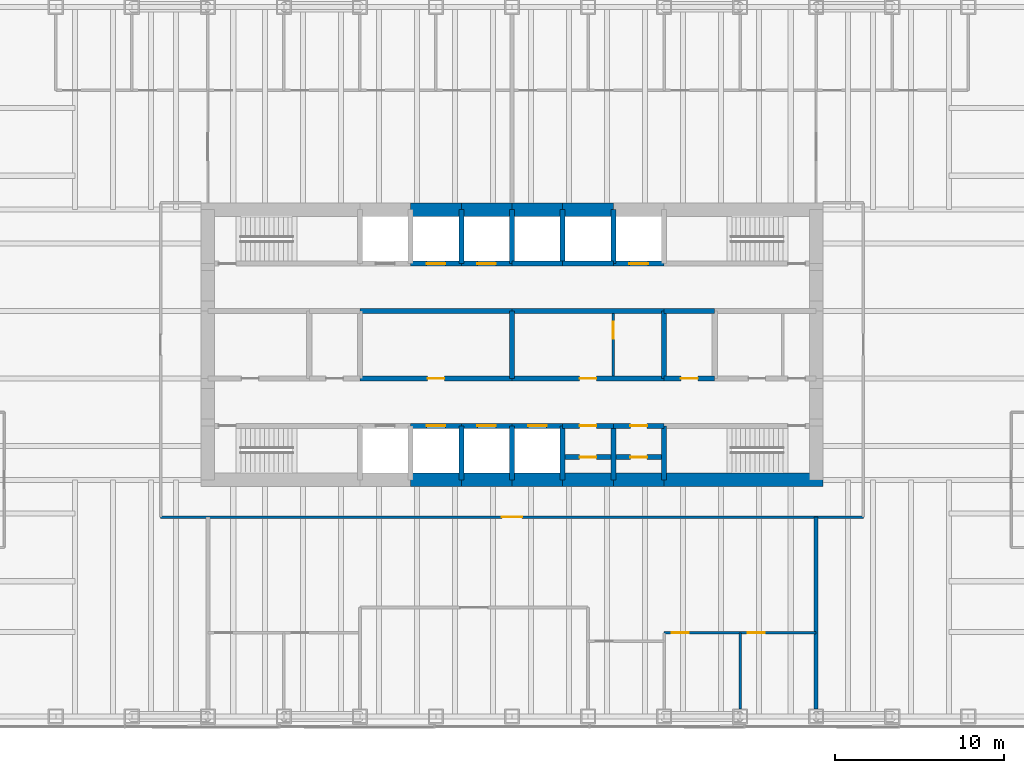
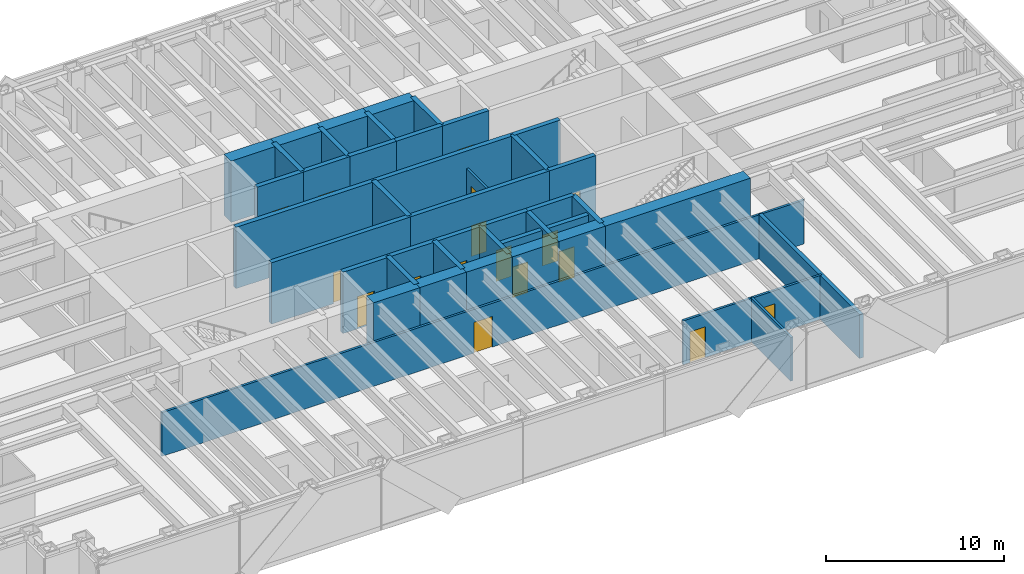
# One storey, part 13 of 17: 44 walls, 17 doors, 17 openings.
"""IFC4 building model written with IfcOpenShell, lengths in metres."""

from ifc_helpers import new_model, si_unit, direction, frame, frame_2d, origin, place, context, subcontext, project, spatial, rectangle, extrude, material, layer, layer_set, type_object, element, fill, save


model = new_model("IFC4")

# Units and contexts
model_context = context("Model", 3, precision=1e-05, world=origin(), true_north=direction((0.0, 1.0)))
body_context = subcontext(model_context, "Body", "Model", "MODEL_VIEW")
ifc_project = project(units=[si_unit("LENGTHUNIT", "METRE"), si_unit("AREAUNIT", "SQUARE_METRE"), si_unit("VOLUMEUNIT", "CUBIC_METRE"), si_unit("PLANEANGLEUNIT", "RADIAN"), si_unit("MASSUNIT", "GRAM", prefix="KILO")], contexts=[model_context])

# Site, building, storey
site_placement = place(None, origin())
site = spatial("IfcSite", under=ifc_project, at=site_placement, CompositionType="ELEMENT")
building_placement = place(site_placement, origin())
building = spatial("IfcBuilding", under=site, at=building_placement, Name="Rheinbord Bourse Tower", CompositionType="ELEMENT")
storey_placement = place(building_placement, frame((0.0, 0.0, 223.60009765625)))
storey = spatial("IfcBuildingStorey", under=building, at=storey_placement, Name="L50", CompositionType="ELEMENT", Elevation=223.60009765625)

# Wall, opening, door
ifc_material_1 = material(Name="Concrete C50/60", Category="concrete")
ifc_layer_1 = layer(ifc_material_1, 0.300048828125)
ifc_layer_set_1 = layer_set([ifc_layer_1], Name="CORE INNER WALL 300")
wall_type_1 = type_object("IfcWallType", Name="CORE INNER WALL 300", PredefinedType="SOLIDWALL", material=ifc_layer_set_1)
wall_1_placement = place(storey_placement, frame((30.0, 19.199951171875, 0.0), z_axis=(0.0, 0.0, 1.0), x_axis=(1.0, 0.0, 0.0)))
wall_1 = element("IfcWall", 1, at=wall_1_placement, inside=storey, type_object=wall_type_1, Name="Core wall A3 L50", PredefinedType="SOLIDWALL", context=body_context, shape_type="SweptSolid", body=[
    extrude(rectangle(XDim=3.0, YDim=0.300048828125, at=frame_2d((1.5, 0.0))), origin(), (0.0, 0.0, 1.0), 4.199951171875),
])
opening_1_placement = place(wall_1_placement, frame((0.949951171875, 0.0, 0.0)))
opening_1 = element("IfcOpeningElement", 2, at=opening_1_placement, cuts=wall_1, Name="Opening PC1", PredefinedType="OPENING", context=body_context, shape_type="SweptSolid", body=[
    extrude(rectangle(XDim=1.10009765625, YDim=2.199951171875, at=frame_2d((0.550048828125, 1.10009765625))), frame((0.0, 0.159912109375, 0.0), z_axis=(0.0, -1.0, 0.0), x_axis=(1.0, 0.0, 0.0)), (0.0, 0.0, 1.0), 0.320068359375),
])
ifc_material_2 = material(Name="Steel landing door", Category="steel")
door_type_1 = type_object("IfcDoorType", Name="LIFT LANDING DOOR 1100", OperationType="DOUBLE_DOOR_SLIDING", PredefinedType="USERDEFINED", material=ifc_material_2)
door_1_placement = place(opening_1_placement, origin())
door_1 = element("IfcDoor", 3, at=door_1_placement, inside=storey, type_object=door_type_1, Name="Lift landing door PC1 L50", ObjectType="LIFT LANDING DOOR", OperationType="DOUBLE_DOOR_SLIDING", OverallHeight=2.199951171875, OverallWidth=1.10009765625, PredefinedType="USERDEFINED", context=body_context, shape_type="SweptSolid", body=[
    extrude(rectangle(XDim=1.10009765625, YDim=2.199951171875, at=frame_2d((0.550048828125, 1.10009765625))), frame((0.0, 0.02490234375, 0.0), z_axis=(0.0, -1.0, 0.0), x_axis=(1.0, 0.0, 0.0)), (0.0, 0.0, 1.0), 0.050048828125),
])
fill(opening_1, door_1)

wall_2_placement = place(storey_placement, frame((33.0, 19.199951171875, 0.0), z_axis=(0.0, 0.0, 1.0), x_axis=(1.0, 0.0, 0.0)))
wall_2 = element("IfcWall", 4, at=wall_2_placement, inside=storey, type_object=wall_type_1, Name="Core wall A4 L50", PredefinedType="SOLIDWALL", context=body_context, shape_type="SweptSolid", body=[
    extrude(rectangle(XDim=3.0, YDim=0.300048828125, at=frame_2d((1.5, 0.0))), origin(), (0.0, 0.0, 1.0), 4.199951171875),
])
opening_2_placement = place(wall_2_placement, frame((0.949951171875, 0.0, 0.0)))
opening_2 = element("IfcOpeningElement", 5, at=opening_2_placement, cuts=wall_2, Name="Opening PC2", PredefinedType="OPENING", context=body_context, shape_type="SweptSolid", body=[
    extrude(rectangle(XDim=1.10009765625, YDim=2.199951171875, at=frame_2d((0.550048828125, 1.10009765625))), frame((0.0, 0.159912109375, 0.0), z_axis=(0.0, -1.0, 0.0), x_axis=(1.0, 0.0, 0.0)), (0.0, 0.0, 1.0), 0.320068359375),
])
door_2_placement = place(opening_2_placement, origin())
door_2 = element("IfcDoor", 6, at=door_2_placement, inside=storey, type_object=door_type_1, Name="Lift landing door PC2 L50", ObjectType="LIFT LANDING DOOR", OperationType="DOUBLE_DOOR_SLIDING", OverallHeight=2.199951171875, OverallWidth=1.10009765625, PredefinedType="USERDEFINED", context=body_context, shape_type="SweptSolid", body=[
    extrude(rectangle(XDim=1.10009765625, YDim=2.199951171875, at=frame_2d((0.550048828125, 1.10009765625))), frame((0.0, 0.02490234375, 0.0), z_axis=(0.0, -1.0, 0.0), x_axis=(1.0, 0.0, 0.0)), (0.0, 0.0, 1.0), 0.050048828125),
])
fill(opening_2, door_2)

wall_3_placement = place(storey_placement, frame((36.0, 19.199951171875, 0.0), z_axis=(0.0, 0.0, 1.0), x_axis=(1.0, 0.0, 0.0)))
wall_3 = element("IfcWall", 7, at=wall_3_placement, inside=storey, type_object=wall_type_1, Name="Core wall A5 L50", PredefinedType="SOLIDWALL", context=body_context, shape_type="SweptSolid", body=[
    extrude(rectangle(XDim=3.0, YDim=0.300048828125, at=frame_2d((1.5, 0.0))), origin(), (0.0, 0.0, 1.0), 4.199951171875),
])
opening_3_placement = place(wall_3_placement, frame((0.949951171875, 0.0, 0.0)))
opening_3 = element("IfcOpeningElement", 8, at=opening_3_placement, cuts=wall_3, Name="Opening PC3", PredefinedType="OPENING", context=body_context, shape_type="SweptSolid", body=[
    extrude(rectangle(XDim=1.10009765625, YDim=2.199951171875, at=frame_2d((0.550048828125, 1.10009765625))), frame((0.0, 0.159912109375, 0.0), z_axis=(0.0, -1.0, 0.0), x_axis=(1.0, 0.0, 0.0)), (0.0, 0.0, 1.0), 0.320068359375),
])
door_3_placement = place(opening_3_placement, origin())
door_3 = element("IfcDoor", 9, at=door_3_placement, inside=storey, type_object=door_type_1, Name="Lift landing door PC3 L50", ObjectType="LIFT LANDING DOOR", OperationType="DOUBLE_DOOR_SLIDING", OverallHeight=2.199951171875, OverallWidth=1.10009765625, PredefinedType="USERDEFINED", context=body_context, shape_type="SweptSolid", body=[
    extrude(rectangle(XDim=1.10009765625, YDim=2.199951171875, at=frame_2d((0.550048828125, 1.10009765625))), frame((0.0, 0.02490234375, 0.0), z_axis=(0.0, -1.0, 0.0), x_axis=(1.0, 0.0, 0.0)), (0.0, 0.0, 1.0), 0.050048828125),
])
fill(opening_3, door_3)

wall_4_placement = place(storey_placement, frame((39.0, 19.199951171875, 0.0), z_axis=(0.0, 0.0, 1.0), x_axis=(1.0, 0.0, 0.0)))
wall_4 = element("IfcWall", 10, at=wall_4_placement, inside=storey, type_object=wall_type_1, Name="Core wall A6 L50", PredefinedType="SOLIDWALL", context=body_context, shape_type="SweptSolid", body=[
    extrude(rectangle(XDim=3.0, YDim=0.300048828125, at=frame_2d((1.5, 0.0))), origin(), (0.0, 0.0, 1.0), 4.199951171875),
])
opening_4_placement = place(wall_4_placement, frame((1.0, 0.0, 0.0)))
opening_4 = element("IfcOpeningElement", 11, at=opening_4_placement, cuts=wall_4, Name="Opening 50R8", PredefinedType="OPENING", context=body_context, shape_type="SweptSolid", body=[
    extrude(rectangle(XDim=1.0, YDim=2.10009765625, at=frame_2d((0.5, 1.050048828125))), frame((0.0, 0.159912109375, 0.0), z_axis=(0.0, -1.0, 0.0), x_axis=(1.0, 0.0, 0.0)), (0.0, 0.0, 1.0), 0.320068359375),
])
ifc_material_3 = material(Name="Steel door", Category="steel")
door_type_2 = type_object("IfcDoorType", Name="DOOR 1000 EI30", OperationType="SINGLE_SWING_LEFT", PredefinedType="DOOR", material=ifc_material_3)
door_4_placement = place(opening_4_placement, origin())
door_4 = element("IfcDoor", 12, at=door_4_placement, inside=storey, type_object=door_type_2, Name="Pantry door L50", OperationType="SINGLE_SWING_LEFT", OverallHeight=2.10009765625, OverallWidth=1.0, PredefinedType="DOOR", context=body_context, shape_type="SweptSolid", body=[
    extrude(rectangle(XDim=1.0, YDim=2.10009765625, at=frame_2d((0.5, 1.050048828125))), frame((0.0, 0.02490234375, 0.0), z_axis=(0.0, -1.0, 0.0), x_axis=(1.0, 0.0, 0.0)), (0.0, 0.0, 1.0), 0.050048828125),
])
fill(opening_4, door_4)

wall_5_placement = place(storey_placement, frame((42.0, 19.199951171875, 0.0), z_axis=(0.0, 0.0, 1.0), x_axis=(1.0, 0.0, 0.0)))
wall_5 = element("IfcWall", 13, at=wall_5_placement, inside=storey, type_object=wall_type_1, Name="Core wall A7 L50", PredefinedType="SOLIDWALL", context=body_context, shape_type="SweptSolid", body=[
    extrude(rectangle(XDim=3.0, YDim=0.300048828125, at=frame_2d((1.5, 0.0))), origin(), (0.0, 0.0, 1.0), 4.199951171875),
])
opening_5_placement = place(wall_5_placement, frame((1.0, 0.0, 0.0)))
opening_5 = element("IfcOpeningElement", 14, at=opening_5_placement, cuts=wall_5, Name="Opening 50R9", PredefinedType="OPENING", context=body_context, shape_type="SweptSolid", body=[
    extrude(rectangle(XDim=1.0, YDim=2.10009765625, at=frame_2d((0.5, 1.050048828125))), frame((0.0, 0.159912109375, 0.0), z_axis=(0.0, -1.0, 0.0), x_axis=(1.0, 0.0, 0.0)), (0.0, 0.0, 1.0), 0.320068359375),
])
door_5_placement = place(opening_5_placement, origin())
door_5 = element("IfcDoor", 15, at=door_5_placement, inside=storey, type_object=door_type_2, Name="Archive store door L50", OperationType="SINGLE_SWING_LEFT", OverallHeight=2.10009765625, OverallWidth=1.0, PredefinedType="DOOR", context=body_context, shape_type="SweptSolid", body=[
    extrude(rectangle(XDim=1.0, YDim=2.10009765625, at=frame_2d((0.5, 1.050048828125))), frame((0.0, 0.02490234375, 0.0), z_axis=(0.0, -1.0, 0.0), x_axis=(1.0, 0.0, 0.0)), (0.0, 0.0, 1.0), 0.050048828125),
])
fill(opening_5, door_5)

wall_6_placement = place(storey_placement, frame((30.0, 28.800048828125, 0.0), z_axis=(0.0, 0.0, 1.0), x_axis=(1.0, 0.0, 0.0)))
wall_6 = element("IfcWall", 16, at=wall_6_placement, inside=storey, type_object=wall_type_1, Name="Core wall B3 L50", PredefinedType="SOLIDWALL", context=body_context, shape_type="SweptSolid", body=[
    extrude(rectangle(XDim=3.0, YDim=0.300048828125, at=frame_2d((1.5, 0.0))), origin(), (0.0, 0.0, 1.0), 4.199951171875),
])
opening_6_placement = place(wall_6_placement, frame((0.949951171875, 0.0, 0.0)))
opening_6 = element("IfcOpeningElement", 17, at=opening_6_placement, cuts=wall_6, Name="Opening PC4", PredefinedType="OPENING", context=body_context, shape_type="SweptSolid", body=[
    extrude(rectangle(XDim=1.10009765625, YDim=2.199951171875, at=frame_2d((0.550048828125, 1.10009765625))), frame((0.0, 0.159912109375, 0.0), z_axis=(0.0, -1.0, 0.0), x_axis=(1.0, 0.0, 0.0)), (0.0, 0.0, 1.0), 0.320068359375),
])
door_6_placement = place(opening_6_placement, origin())
door_6 = element("IfcDoor", 18, at=door_6_placement, inside=storey, type_object=door_type_1, Name="Lift landing door PC4 L50", ObjectType="LIFT LANDING DOOR", OperationType="DOUBLE_DOOR_SLIDING", OverallHeight=2.199951171875, OverallWidth=1.10009765625, PredefinedType="USERDEFINED", context=body_context, shape_type="SweptSolid", body=[
    extrude(rectangle(XDim=1.10009765625, YDim=2.199951171875, at=frame_2d((0.550048828125, 1.10009765625))), frame((0.0, 0.02490234375, 0.0), z_axis=(0.0, -1.0, 0.0), x_axis=(1.0, 0.0, 0.0)), (0.0, 0.0, 1.0), 0.050048828125),
])
fill(opening_6, door_6)

wall_7_placement = place(storey_placement, frame((33.0, 28.800048828125, 0.0), z_axis=(0.0, 0.0, 1.0), x_axis=(1.0, 0.0, 0.0)))
wall_7 = element("IfcWall", 19, at=wall_7_placement, inside=storey, type_object=wall_type_1, Name="Core wall B4 L50", PredefinedType="SOLIDWALL", context=body_context, shape_type="SweptSolid", body=[
    extrude(rectangle(XDim=3.0, YDim=0.300048828125, at=frame_2d((1.5, 0.0))), origin(), (0.0, 0.0, 1.0), 4.199951171875),
])
opening_7_placement = place(wall_7_placement, frame((0.949951171875, 0.0, 0.0)))
opening_7 = element("IfcOpeningElement", 20, at=opening_7_placement, cuts=wall_7, Name="Opening PC5", PredefinedType="OPENING", context=body_context, shape_type="SweptSolid", body=[
    extrude(rectangle(XDim=1.10009765625, YDim=2.199951171875, at=frame_2d((0.550048828125, 1.10009765625))), frame((0.0, 0.159912109375, 0.0), z_axis=(0.0, -1.0, 0.0), x_axis=(1.0, 0.0, 0.0)), (0.0, 0.0, 1.0), 0.320068359375),
])
door_7_placement = place(opening_7_placement, origin())
door_7 = element("IfcDoor", 21, at=door_7_placement, inside=storey, type_object=door_type_1, Name="Lift landing door PC5 L50", ObjectType="LIFT LANDING DOOR", OperationType="DOUBLE_DOOR_SLIDING", OverallHeight=2.199951171875, OverallWidth=1.10009765625, PredefinedType="USERDEFINED", context=body_context, shape_type="SweptSolid", body=[
    extrude(rectangle(XDim=1.10009765625, YDim=2.199951171875, at=frame_2d((0.550048828125, 1.10009765625))), frame((0.0, 0.02490234375, 0.0), z_axis=(0.0, -1.0, 0.0), x_axis=(1.0, 0.0, 0.0)), (0.0, 0.0, 1.0), 0.050048828125),
])
fill(opening_7, door_7)

# Walls
for number, where, z_axis, x_axis, name in (
    (22, (36.0, 28.800048828125, 0.0), (0.0, 0.0, 1.0), (1.0, 0.0, 0.0), "Core wall B5 L50"),
    (23, (39.0, 28.800048828125, 0.0), (0.0, 0.0, 1.0), (1.0, 0.0, 0.0), "Core wall B6 L50"),
):
    element("IfcWall", number, at=place(storey_placement, frame(where, z_axis=z_axis, x_axis=x_axis)), inside=storey, type_object=wall_type_1, Name=name, PredefinedType="SOLIDWALL", context=body_context, shape_type="SweptSolid", body=[
        extrude(rectangle(XDim=3.0, YDim=0.300048828125, at=frame_2d((1.5, 0.0))), origin(), (0.0, 0.0, 1.0), 4.199951171875),
    ])

# Wall, opening, door
wall_8_placement = place(storey_placement, frame((42.0, 28.800048828125, 0.0), z_axis=(0.0, 0.0, 1.0), x_axis=(1.0, 0.0, 0.0)))
wall_8 = element("IfcWall", 24, at=wall_8_placement, inside=storey, type_object=wall_type_1, Name="Core wall B7 L50", PredefinedType="SOLIDWALL", context=body_context, shape_type="SweptSolid", body=[
    extrude(rectangle(XDim=3.0, YDim=0.300048828125, at=frame_2d((1.5, 0.0))), origin(), (0.0, 0.0, 1.0), 4.199951171875),
])
opening_8_placement = place(wall_8_placement, frame((0.949951171875, 0.0, 0.0)))
opening_8 = element("IfcOpeningElement", 25, at=opening_8_placement, cuts=wall_8, Name="Opening FL2", PredefinedType="OPENING", context=body_context, shape_type="SweptSolid", body=[
    extrude(rectangle(XDim=1.10009765625, YDim=2.199951171875, at=frame_2d((0.550048828125, 1.10009765625))), frame((0.0, 0.159912109375, 0.0), z_axis=(0.0, -1.0, 0.0), x_axis=(1.0, 0.0, 0.0)), (0.0, 0.0, 1.0), 0.320068359375),
])
door_8_placement = place(opening_8_placement, origin())
door_8 = element("IfcDoor", 26, at=door_8_placement, inside=storey, type_object=door_type_1, Name="Lift landing door FL2 L50", ObjectType="LIFT LANDING DOOR", OperationType="DOUBLE_DOOR_SLIDING", OverallHeight=2.199951171875, OverallWidth=1.10009765625, PredefinedType="USERDEFINED", context=body_context, shape_type="SweptSolid", body=[
    extrude(rectangle(XDim=1.10009765625, YDim=2.199951171875, at=frame_2d((0.550048828125, 1.10009765625))), frame((0.0, 0.02490234375, 0.0), z_axis=(0.0, -1.0, 0.0), x_axis=(1.0, 0.0, 0.0)), (0.0, 0.0, 1.0), 0.050048828125),
])
fill(opening_8, door_8)

wall_9_placement = place(storey_placement, frame((27.0, 22.0, 0.0), z_axis=(0.0, 0.0, 1.0), x_axis=(1.0, 0.0, 0.0)))
wall_9 = element("IfcWall", 27, at=wall_9_placement, inside=storey, type_object=wall_type_1, Name="Core wall C3 L50", PredefinedType="SOLIDWALL", context=body_context, shape_type="SweptSolid", body=[
    extrude(rectangle(XDim=9.0, YDim=0.300048828125, at=frame_2d((4.5, 0.0))), origin(), (0.0, 0.0, 1.0), 4.199951171875),
])
opening_9_placement = place(wall_9_placement, frame((4.0, 0.0, 0.0)))
opening_9 = element("IfcOpeningElement", 28, at=opening_9_placement, cuts=wall_9, Name="Opening 50R3", PredefinedType="OPENING", context=body_context, shape_type="SweptSolid", body=[
    extrude(rectangle(XDim=1.0, YDim=2.10009765625, at=frame_2d((0.5, 1.050048828125))), frame((0.0, 0.159912109375, 0.0), z_axis=(0.0, -1.0, 0.0), x_axis=(1.0, 0.0, 0.0)), (0.0, 0.0, 1.0), 0.320068359375),
])
door_9_placement = place(opening_9_placement, origin())
door_9 = element("IfcDoor", 29, at=door_9_placement, inside=storey, type_object=door_type_2, Name="Riser door L50", OperationType="SINGLE_SWING_LEFT", OverallHeight=2.10009765625, OverallWidth=1.0, PredefinedType="DOOR", context=body_context, shape_type="SweptSolid", body=[
    extrude(rectangle(XDim=1.0, YDim=2.10009765625, at=frame_2d((0.5, 1.050048828125))), frame((0.0, 0.02490234375, 0.0), z_axis=(0.0, -1.0, 0.0), x_axis=(1.0, 0.0, 0.0)), (0.0, 0.0, 1.0), 0.050048828125),
])
fill(opening_9, door_9)

wall_10_placement = place(storey_placement, frame((36.0, 22.0, 0.0), z_axis=(0.0, 0.0, 1.0), x_axis=(1.0, 0.0, 0.0)))
wall_10 = element("IfcWall", 30, at=wall_10_placement, inside=storey, type_object=wall_type_1, Name="Core wall C4 L50", PredefinedType="SOLIDWALL", context=body_context, shape_type="SweptSolid", body=[
    extrude(rectangle(XDim=9.0, YDim=0.300048828125, at=frame_2d((4.5, 0.0))), origin(), (0.0, 0.0, 1.0), 4.199951171875),
])
opening_10_placement = place(wall_10_placement, frame((4.0, 0.0, 0.0)))
opening_10 = element("IfcOpeningElement", 31, at=opening_10_placement, cuts=wall_10, Name="Opening 50R4", PredefinedType="OPENING", context=body_context, shape_type="SweptSolid", body=[
    extrude(rectangle(XDim=1.0, YDim=2.10009765625, at=frame_2d((0.5, 1.050048828125))), frame((0.0, 0.159912109375, 0.0), z_axis=(0.0, -1.0, 0.0), x_axis=(1.0, 0.0, 0.0)), (0.0, 0.0, 1.0), 0.320068359375),
])
door_10_placement = place(opening_10_placement, origin())
door_10 = element("IfcDoor", 32, at=door_10_placement, inside=storey, type_object=door_type_2, Name="IT room door L50", OperationType="SINGLE_SWING_LEFT", OverallHeight=2.10009765625, OverallWidth=1.0, PredefinedType="DOOR", context=body_context, shape_type="SweptSolid", body=[
    extrude(rectangle(XDim=1.0, YDim=2.10009765625, at=frame_2d((0.5, 1.050048828125))), frame((0.0, 0.02490234375, 0.0), z_axis=(0.0, -1.0, 0.0), x_axis=(1.0, 0.0, 0.0)), (0.0, 0.0, 1.0), 0.050048828125),
])
fill(opening_10, door_10)

wall_11_placement = place(storey_placement, frame((45.0, 22.0, 0.0), z_axis=(0.0, 0.0, 1.0), x_axis=(1.0, 0.0, 0.0)))
wall_11 = element("IfcWall", 33, at=wall_11_placement, inside=storey, type_object=wall_type_1, Name="Core wall C5 L50", PredefinedType="SOLIDWALL", context=body_context, shape_type="SweptSolid", body=[
    extrude(rectangle(XDim=3.0, YDim=0.300048828125, at=frame_2d((1.5, 0.0))), origin(), (0.0, 0.0, 1.0), 4.199951171875),
])
opening_11_placement = place(wall_11_placement, frame((1.0, 0.0, 0.0)))
opening_11 = element("IfcOpeningElement", 34, at=opening_11_placement, cuts=wall_11, Name="Opening 50R5", PredefinedType="OPENING", context=body_context, shape_type="SweptSolid", body=[
    extrude(rectangle(XDim=1.0, YDim=2.10009765625, at=frame_2d((0.5, 1.050048828125))), frame((0.0, 0.159912109375, 0.0), z_axis=(0.0, -1.0, 0.0), x_axis=(1.0, 0.0, 0.0)), (0.0, 0.0, 1.0), 0.320068359375),
])
ifc_material_4 = material(Name="Timber door", Category="wood")
door_type_3 = type_object("IfcDoorType", Name="DOOR 1000 WC", OperationType="SINGLE_SWING_LEFT", PredefinedType="DOOR", material=ifc_material_4)
door_11_placement = place(opening_11_placement, origin())
door_11 = element("IfcDoor", 35, at=door_11_placement, inside=storey, type_object=door_type_3, Name="Accessible WC door L50", OperationType="SINGLE_SWING_LEFT", OverallHeight=2.10009765625, OverallWidth=1.0, PredefinedType="DOOR", context=body_context, shape_type="SweptSolid", body=[
    extrude(rectangle(XDim=1.0, YDim=2.10009765625, at=frame_2d((0.5, 1.050048828125))), frame((0.0, 0.02490234375, 0.0), z_axis=(0.0, -1.0, 0.0), x_axis=(1.0, 0.0, 0.0)), (0.0, 0.0, 1.0), 0.050048828125),
])
fill(opening_11, door_11)

# Walls
for number, where, z_axis, x_axis, name in (
    (36, (27.0, 26.0, 0.0), (0.0, 0.0, 1.0), (1.0, 0.0, 0.0), "Core wall D3 L50"),
    (37, (36.0, 26.0, 0.0), (0.0, 0.0, 1.0), (1.0, 0.0, 0.0), "Core wall D4 L50"),
):
    element("IfcWall", number, at=place(storey_placement, frame(where, z_axis=z_axis, x_axis=x_axis)), inside=storey, type_object=wall_type_1, Name=name, PredefinedType="SOLIDWALL", context=body_context, shape_type="SweptSolid", body=[
        extrude(rectangle(XDim=9.0, YDim=0.300048828125, at=frame_2d((4.5, 0.0))), origin(), (0.0, 0.0, 1.0), 4.199951171875),
    ])
wall_12_placement = place(storey_placement, frame((45.0, 26.0, 0.0), z_axis=(0.0, 0.0, 1.0), x_axis=(1.0, 0.0, 0.0)))
element("IfcWall", 38, at=wall_12_placement, inside=storey, type_object=wall_type_1, Name="Core wall D5 L50", PredefinedType="SOLIDWALL", context=body_context, shape_type="SweptSolid", body=[
    extrude(rectangle(XDim=3.0, YDim=0.300048828125, at=frame_2d((1.5, 0.0))), origin(), (0.0, 0.0, 1.0), 4.199951171875),
])
for number, where, z_axis, x_axis, name in (
    (39, (33.0, 16.0, 0.0), (0.0, 0.0, 1.0), (0.0, 1.0, 0.0), "Core wall SX33 L50"),
    (40, (33.0, 28.800048828125, 0.0), (0.0, 0.0, 1.0), (0.0, 1.0, 0.0), "Core wall NX33 L50"),
    (41, (36.0, 16.0, 0.0), (0.0, 0.0, 1.0), (0.0, 1.0, 0.0), "Core wall SX36 L50"),
    (42, (36.0, 28.800048828125, 0.0), (0.0, 0.0, 1.0), (0.0, 1.0, 0.0), "Core wall NX36 L50"),
    (43, (39.0, 16.0, 0.0), (0.0, 0.0, 1.0), (0.0, 1.0, 0.0), "Core wall SX39 L50"),
    (44, (39.0, 28.800048828125, 0.0), (0.0, 0.0, 1.0), (0.0, 1.0, 0.0), "Core wall NX39 L50"),
    (45, (42.0, 16.0, 0.0), (0.0, 0.0, 1.0), (0.0, 1.0, 0.0), "Core wall SX42 L50"),
    (46, (42.0, 28.800048828125, 0.0), (0.0, 0.0, 1.0), (0.0, 1.0, 0.0), "Core wall NX42 L50"),
    (47, (45.0, 16.0, 0.0), (0.0, 0.0, 1.0), (0.0, 1.0, 0.0), "Core wall SX45 L50"),
):
    element("IfcWall", number, at=place(storey_placement, frame(where, z_axis=z_axis, x_axis=x_axis)), inside=storey, type_object=wall_type_1, Name=name, PredefinedType="SOLIDWALL", context=body_context, shape_type="SweptSolid", body=[
        extrude(rectangle(XDim=3.199951171875, YDim=0.300048828125, at=frame_2d((1.60009765625, 0.0))), origin(), (0.0, 0.0, 1.0), 4.199951171875),
    ])
for number, where, z_axis, x_axis, name in (
    (48, (36.0, 22.0, 0.0), (0.0, 0.0, 1.0), (0.0, 1.0, 0.0), "Core wall MX36 L50"),
    (49, (45.0, 22.0, 0.0), (0.0, 0.0, 1.0), (0.0, 1.0, 0.0), "Core wall MX45 L50"),
):
    element("IfcWall", number, at=place(storey_placement, frame(where, z_axis=z_axis, x_axis=x_axis)), inside=storey, type_object=wall_type_1, Name=name, PredefinedType="SOLIDWALL", context=body_context, shape_type="SweptSolid", body=[
        extrude(rectangle(XDim=4.0, YDim=0.300048828125, at=frame_2d((2.0, 0.0))), origin(), (0.0, 0.0, 1.0), 4.199951171875),
    ])

# Wall, opening, door
wall_13_placement = place(storey_placement, frame((39.14990234375, 17.35009765625, 0.0), z_axis=(0.0, 0.0, 1.0), x_axis=(1.0, 0.0, 0.0)))
wall_13 = element("IfcWall", 50, at=wall_13_placement, inside=storey, type_object=wall_type_1, Name="Core riser wall L50-6", PredefinedType="SOLIDWALL", context=body_context, shape_type="SweptSolid", body=[
    extrude(rectangle(XDim=2.7001953125, YDim=0.300048828125, at=frame_2d((1.35009765625, 0.0))), origin(), (0.0, 0.0, 1.0), 4.039794921875),
])
opening_12_placement = place(wall_13_placement, frame((0.85009765625, 0.0, 0.0)))
opening_12 = element("IfcOpeningElement", 51, at=opening_12_placement, cuts=wall_13, Name="Opening 50R12", PredefinedType="OPENING", context=body_context, shape_type="SweptSolid", body=[
    extrude(rectangle(XDim=1.0, YDim=2.10009765625, at=frame_2d((0.5, 1.050048828125))), frame((0.0, 0.159912109375, 0.0), z_axis=(0.0, -1.0, 0.0), x_axis=(1.0, 0.0, 0.0)), (0.0, 0.0, 1.0), 0.320068359375),
])
door_12_placement = place(opening_12_placement, origin())
door_12 = element("IfcDoor", 52, at=door_12_placement, inside=storey, type_object=door_type_2, Name="Comms riser door L50", OperationType="SINGLE_SWING_LEFT", OverallHeight=2.10009765625, OverallWidth=1.0, PredefinedType="DOOR", context=body_context, shape_type="SweptSolid", body=[
    extrude(rectangle(XDim=1.0, YDim=2.10009765625, at=frame_2d((0.5, 1.050048828125))), frame((0.0, 0.02490234375, 0.0), z_axis=(0.0, -1.0, 0.0), x_axis=(1.0, 0.0, 0.0)), (0.0, 0.0, 1.0), 0.050048828125),
])
fill(opening_12, door_12)

wall_14_placement = place(storey_placement, frame((42.14990234375, 17.35009765625, 0.0), z_axis=(0.0, 0.0, 1.0), x_axis=(1.0, 0.0, 0.0)))
wall_14 = element("IfcWall", 53, at=wall_14_placement, inside=storey, type_object=wall_type_1, Name="Core riser wall L50-7", PredefinedType="SOLIDWALL", context=body_context, shape_type="SweptSolid", body=[
    extrude(rectangle(XDim=2.7001953125, YDim=0.300048828125, at=frame_2d((1.35009765625, 0.0))), origin(), (0.0, 0.0, 1.0), 4.039794921875),
])
opening_13_placement = place(wall_14_placement, frame((0.85009765625, 0.0, 0.0)))
opening_13 = element("IfcOpeningElement", 54, at=opening_13_placement, cuts=wall_14, Name="Opening 50R13", PredefinedType="OPENING", context=body_context, shape_type="SweptSolid", body=[
    extrude(rectangle(XDim=1.0, YDim=2.10009765625, at=frame_2d((0.5, 1.050048828125))), frame((0.0, 0.159912109375, 0.0), z_axis=(0.0, -1.0, 0.0), x_axis=(1.0, 0.0, 0.0)), (0.0, 0.0, 1.0), 0.320068359375),
])
door_13_placement = place(opening_13_placement, origin())
door_13 = element("IfcDoor", 55, at=door_13_placement, inside=storey, type_object=door_type_2, Name="Electrical riser door L50", OperationType="SINGLE_SWING_LEFT", OverallHeight=2.10009765625, OverallWidth=1.0, PredefinedType="DOOR", context=body_context, shape_type="SweptSolid", body=[
    extrude(rectangle(XDim=1.0, YDim=2.10009765625, at=frame_2d((0.5, 1.050048828125))), frame((0.0, 0.02490234375, 0.0), z_axis=(0.0, -1.0, 0.0), x_axis=(1.0, 0.0, 0.0)), (0.0, 0.0, 1.0), 0.050048828125),
])
fill(opening_13, door_13)

ifc_material_5 = material(Name="Gypsum board fire partition", Category="gypsum board")
ifc_layer_2 = layer(ifc_material_5, 0.14990234375)
ifc_layer_set_2 = layer_set([ifc_layer_2], Name="CORE PARTITION 150 EI30")
wall_type_2 = type_object("IfcWallType", Name="CORE PARTITION 150 EI30", PredefinedType="PARTITIONING", material=ifc_layer_set_2)
wall_15_placement = place(storey_placement, frame((42.0, 22.14990234375, 0.0), z_axis=(0.0, 0.0, 1.0), x_axis=(0.0, 1.0, 0.0)))
wall_15 = element("IfcWall", 56, at=wall_15_placement, inside=storey, type_object=wall_type_2, Name="Core partition L50-1", PredefinedType="PARTITIONING", context=body_context, shape_type="SweptSolid", body=[
    extrude(rectangle(XDim=3.7001953125, YDim=0.14990234375, at=frame_2d((1.85009765625, 0.0))), origin(), (0.0, 0.0, 1.0), 3.0),
])
opening_14_placement = place(wall_15_placement, frame((2.199951171875, 0.0, 0.0)))
opening_14 = element("IfcOpeningElement", 57, at=opening_14_placement, cuts=wall_15, Name="Opening 50R7", PredefinedType="OPENING", context=body_context, shape_type="SweptSolid", body=[
    extrude(rectangle(XDim=1.0, YDim=2.10009765625, at=frame_2d((0.5, 1.050048828125))), frame((0.0, 0.0849609375, 0.0), z_axis=(0.0, -1.0, 0.0), x_axis=(1.0, 0.0, 0.0)), (0.0, 0.0, 1.0), 0.169921875),
])
door_14_placement = place(opening_14_placement, origin())
door_14 = element("IfcDoor", 58, at=door_14_placement, inside=storey, type_object=door_type_2, Name="Store door L50", OperationType="SINGLE_SWING_RIGHT", OverallHeight=2.10009765625, OverallWidth=1.0, PredefinedType="DOOR", context=body_context, shape_type="SweptSolid", body=[
    extrude(rectangle(XDim=1.0, YDim=2.10009765625, at=frame_2d((0.5, 1.050048828125))), frame((0.0, 0.02490234375, 0.0), z_axis=(0.0, -1.0, 0.0), x_axis=(1.0, 0.0, 0.0)), (0.0, 0.0, 1.0), 0.050048828125),
])
fill(opening_14, door_14)

# Walls
ifc_material_6 = material(Name="Concrete C50/60", Category="concrete")
ifc_layer_3 = layer(ifc_material_6, 0.800048828125)
ifc_layer_set_3 = layer_set([ifc_layer_3], Name="CORE WALL 800")
wall_type_3 = type_object("IfcWallType", Name="CORE WALL 800", PredefinedType="SHEAR", material=ifc_layer_set_3)
for number, where, z_axis, x_axis, name in (
    (59, (30.0, 16.0, 0.0), (0.0, 0.0, 1.0), (1.0, 0.0, 0.0), "Core wall S3 L50"),
    (60, (33.0, 16.0, 0.0), (0.0, 0.0, 1.0), (1.0, 0.0, 0.0), "Core wall S4 L50"),
    (61, (36.0, 16.0, 0.0), (0.0, 0.0, 1.0), (1.0, 0.0, 0.0), "Core wall S5 L50"),
    (62, (39.0, 16.0, 0.0), (0.0, 0.0, 1.0), (1.0, 0.0, 0.0), "Core wall S6 L50"),
    (63, (42.0, 16.0, 0.0), (0.0, 0.0, 1.0), (1.0, 0.0, 0.0), "Core wall S7 L50"),
):
    element("IfcWall", number, at=place(storey_placement, frame(where, z_axis=z_axis, x_axis=x_axis)), inside=storey, type_object=wall_type_3, Name=name, PredefinedType="SHEAR", context=body_context, shape_type="SweptSolid", body=[
        extrude(rectangle(XDim=3.0, YDim=0.800048828125, at=frame_2d((1.5, 0.0))), origin(), (0.0, 0.0, 1.0), 4.199951171875),
    ])
wall_16_placement = place(storey_placement, frame((45.0, 16.0, 0.0), z_axis=(0.0, 0.0, 1.0), x_axis=(1.0, 0.0, 0.0)))
element("IfcWall", 64, at=wall_16_placement, inside=storey, type_object=wall_type_3, Name="Core wall S8 L50", PredefinedType="SHEAR", context=body_context, shape_type="SweptSolid", body=[
    extrude(rectangle(XDim=9.39990234375, YDim=0.800048828125, at=frame_2d((4.699951171875, 0.0))), origin(), (0.0, 0.0, 1.0), 4.199951171875),
])
for number, where, z_axis, x_axis, name in (
    (65, (42.0, 32.0, 0.0), (0.0, 0.0, 1.0), (-1.0, 0.0, 0.0), "Core wall N3 L50"),
    (66, (39.0, 32.0, 0.0), (0.0, 0.0, 1.0), (-1.0, 0.0, 0.0), "Core wall N4 L50"),
    (67, (36.0, 32.0, 0.0), (0.0, 0.0, 1.0), (-1.0, 0.0, 0.0), "Core wall N5 L50"),
    (68, (33.0, 32.0, 0.0), (0.0, 0.0, 1.0), (-1.0, 0.0, 0.0), "Core wall N6 L50"),
):
    element("IfcWall", number, at=place(storey_placement, frame(where, z_axis=z_axis, x_axis=x_axis)), inside=storey, type_object=wall_type_3, Name=name, PredefinedType="SHEAR", context=body_context, shape_type="SweptSolid", body=[
        extrude(rectangle(XDim=3.0, YDim=0.800048828125, at=frame_2d((1.5, 0.0))), origin(), (0.0, 0.0, 1.0), 4.199951171875),
    ])

# Wall, opening, door
ifc_material_7 = material(Name="Gypsum board corridor partition", Category="gypsum board")
ifc_layer_4 = layer(ifc_material_7, 0.14990234375)
ifc_layer_set_4 = layer_set([ifc_layer_4], Name="CORRIDOR PARTITION 150 EI30")
wall_type_4 = type_object("IfcWallType", Name="CORRIDOR PARTITION 150 EI30", PredefinedType="PARTITIONING", material=ifc_layer_set_4)
wall_17_placement = place(storey_placement, frame((15.199951171875, 13.800048828125, 0.0), z_axis=(0.0, 0.0, 1.0), x_axis=(1.0, 0.0, 0.0)))
wall_17 = element("IfcWall", 69, at=wall_17_placement, inside=storey, type_object=wall_type_4, Name="Partition L50-07", PredefinedType="PARTITIONING", context=body_context, shape_type="SweptSolid", body=[
    extrude(rectangle(XDim=41.60009765625, YDim=0.14990234375, at=frame_2d((20.800048828125, 0.0))), origin(), (0.0, 0.0, 1.0), 3.0),
])
opening_15_placement = place(wall_17_placement, frame((20.199951171875, 0.0, 0.0)))
opening_15 = element("IfcOpeningElement", 70, at=opening_15_placement, cuts=wall_17, Name="Opening 50D26", PredefinedType="OPENING", context=body_context, shape_type="SweptSolid", body=[
    extrude(rectangle(XDim=1.199951171875, YDim=2.10009765625, at=frame_2d((0.60009765625, 1.050048828125))), frame((0.0, 0.0849609375, 0.0), z_axis=(0.0, -1.0, 0.0), x_axis=(1.0, 0.0, 0.0)), (0.0, 0.0, 1.0), 0.169921875),
])
ifc_material_8 = material(Name="Timber fire door", Category="wood")
door_type_4 = type_object("IfcDoorType", Name="SUITE ENTRANCE DOOR 1200 EI30", OperationType="SINGLE_SWING_LEFT", PredefinedType="DOOR", material=ifc_material_8)
door_15_placement = place(opening_15_placement, origin())
door_15 = element("IfcDoor", 71, at=door_15_placement, inside=storey, type_object=door_type_4, Name="Suite entrance 2 door L50", OperationType="SINGLE_SWING_RIGHT", OverallHeight=2.10009765625, OverallWidth=1.199951171875, PredefinedType="DOOR", context=body_context, shape_type="SweptSolid", body=[
    extrude(rectangle(XDim=1.199951171875, YDim=2.10009765625, at=frame_2d((0.60009765625, 1.050048828125))), frame((0.0, 0.02490234375, 0.0), z_axis=(0.0, -1.0, 0.0), x_axis=(1.0, 0.0, 0.0)), (0.0, 0.0, 1.0), 0.050048828125),
])
fill(opening_15, door_15)

# Wall
ifc_material_9 = material(Name="Gypsum board tenancy wall", Category="gypsum board")
ifc_layer_5 = layer(ifc_material_9, 0.25)
ifc_layer_set_5 = layer_set([ifc_layer_5], Name="DEMISING PARTITION 250 EI60")
wall_type_5 = type_object("IfcWallType", Name="DEMISING PARTITION 250 EI60", PredefinedType="PARTITIONING", material=ifc_layer_set_5)
wall_18_placement = place(storey_placement, frame((54.0, 2.449951171875, 0.0), z_axis=(0.0, 0.0, 1.0), x_axis=(0.0, 1.0, 0.0)))
element("IfcWall", 72, at=wall_18_placement, inside=storey, type_object=wall_type_5, Name="Partition L50-37", PredefinedType="PARTITIONING", context=body_context, shape_type="SweptSolid", body=[
    extrude(rectangle(XDim=11.35009765625, YDim=0.25, at=frame_2d((5.675048828125, 0.0))), origin(), (0.0, 0.0, 1.0), 3.0),
])

# Wall, openings, doors
ifc_material_10 = material(Name="Gypsum board partition", Category="gypsum board")
ifc_layer_6 = layer(ifc_material_10, 0.14990234375)
ifc_layer_set_6 = layer_set([ifc_layer_6], Name="PARTITION 150")
wall_type_6 = type_object("IfcWallType", Name="PARTITION 150", PredefinedType="PARTITIONING", material=ifc_layer_set_6)
wall_19_placement = place(storey_placement, frame((45.0, 6.949951171875, 0.0), z_axis=(0.0, 0.0, 1.0), x_axis=(1.0, 0.0, 0.0)))
wall_19 = element("IfcWall", 73, at=wall_19_placement, inside=storey, type_object=wall_type_6, Name="Partition L50-03", PredefinedType="PARTITIONING", context=body_context, shape_type="SweptSolid", body=[
    extrude(rectangle(XDim=9.0, YDim=0.14990234375, at=frame_2d((4.5, 0.0))), origin(), (0.0, 0.0, 1.0), 3.0),
])
opening_16_placement = place(wall_19_placement, frame((0.449951171875, 0.0, 0.0)))
opening_16 = element("IfcOpeningElement", 74, at=opening_16_placement, cuts=wall_19, Name="Opening 50D04", PredefinedType="OPENING", context=body_context, shape_type="SweptSolid", body=[
    extrude(rectangle(XDim=1.0, YDim=2.10009765625, at=frame_2d((0.5, 1.050048828125))), frame((0.0, 0.0849609375, 0.0), z_axis=(0.0, -1.0, 0.0), x_axis=(1.0, 0.0, 0.0)), (0.0, 0.0, 1.0), 0.169921875),
])
opening_17_placement = place(wall_19_placement, frame((4.949951171875, 0.0, 0.0)))
opening_17 = element("IfcOpeningElement", 75, at=opening_17_placement, cuts=wall_19, Name="Opening 50D05", PredefinedType="OPENING", context=body_context, shape_type="SweptSolid", body=[
    extrude(rectangle(XDim=1.0, YDim=2.10009765625, at=frame_2d((0.5, 1.050048828125))), frame((0.0, 0.0849609375, 0.0), z_axis=(0.0, -1.0, 0.0), x_axis=(1.0, 0.0, 0.0)), (0.0, 0.0, 1.0), 0.169921875),
])
ifc_material_11 = material(Name="Timber door", Category="wood")
door_type_5 = type_object("IfcDoorType", Name="ROOM DOOR 1000", OperationType="SINGLE_SWING_LEFT", PredefinedType="DOOR", material=ifc_material_11)
door_16_placement = place(opening_16_placement, origin())
door_16 = element("IfcDoor", 76, at=door_16_placement, inside=storey, type_object=door_type_5, Name="Office door L50", OperationType="SINGLE_SWING_LEFT", OverallHeight=2.10009765625, OverallWidth=1.0, PredefinedType="DOOR", context=body_context, shape_type="SweptSolid", body=[
    extrude(rectangle(XDim=1.0, YDim=2.10009765625, at=frame_2d((0.5, 1.050048828125))), frame((0.0, 0.02490234375, 0.0), z_axis=(0.0, -1.0, 0.0), x_axis=(1.0, 0.0, 0.0)), (0.0, 0.0, 1.0), 0.050048828125),
])
fill(opening_16, door_16)
door_17_placement = place(opening_17_placement, origin())
door_17 = element("IfcDoor", 77, at=door_17_placement, inside=storey, type_object=door_type_5, Name="Office door L50", OperationType="SINGLE_SWING_RIGHT", OverallHeight=2.10009765625, OverallWidth=1.0, PredefinedType="DOOR", context=body_context, shape_type="SweptSolid", body=[
    extrude(rectangle(XDim=1.0, YDim=2.10009765625, at=frame_2d((0.5, 1.050048828125))), frame((0.0, 0.02490234375, 0.0), z_axis=(0.0, -1.0, 0.0), x_axis=(1.0, 0.0, 0.0)), (0.0, 0.0, 1.0), 0.050048828125),
])
fill(opening_17, door_17)

# Wall
wall_20_placement = place(storey_placement, frame((49.5, 2.449951171875, 0.0), z_axis=(0.0, 0.0, 1.0), x_axis=(0.0, 1.0, 0.0)))
element("IfcWall", 78, at=wall_20_placement, inside=storey, type_object=wall_type_6, Name="Partition L50-35", PredefinedType="PARTITIONING", context=body_context, shape_type="SweptSolid", body=[
    extrude(rectangle(XDim=4.5, YDim=0.14990234375, at=frame_2d((2.25, 0.0))), origin(), (0.0, 0.0, 1.0), 3.0),
])

save(model, "model.ifc")
